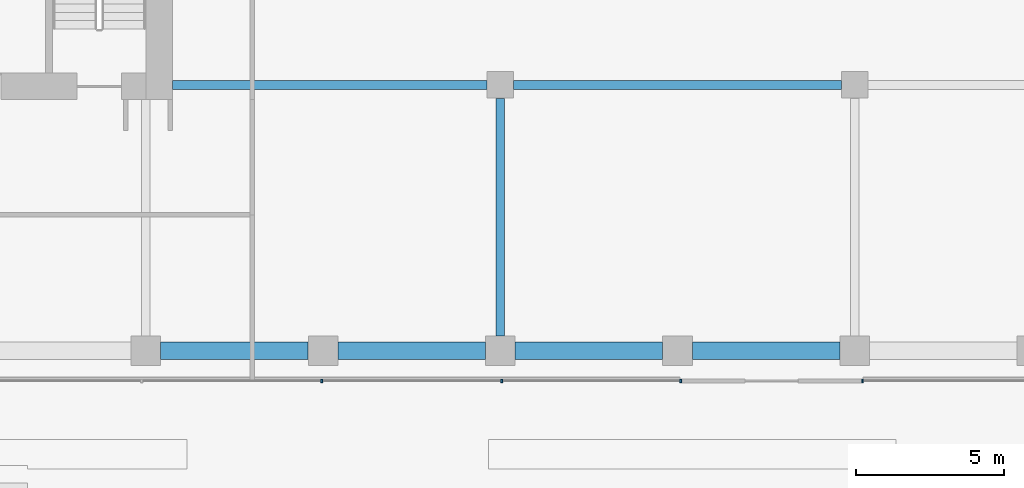
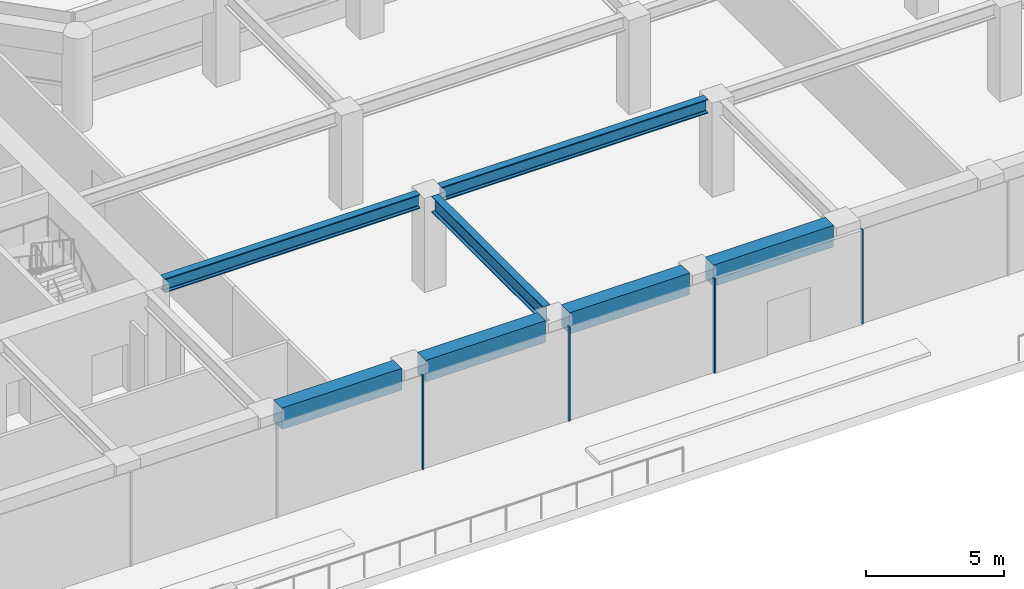
# One storey, part 5 of 31: 7 beams, 4 members, 2 elements without a shape of their own.
"""IFC4 building model written with IfcOpenShell, lengths in metres."""

from ifc_helpers import new_model, si_unit, direction, frame, origin, origin_2d, place, context, subcontext, project, spatial, rectangle, i_section, extrude, material, layer, layer_set, material_profile, profile_set, type_object, element, aggregate, save


model = new_model("IFC4")

# Units and contexts
model_context = context("Model", 3, precision=1e-05, world=origin(), true_north=direction((0.0, 1.0)))
body_context = subcontext(model_context, "Body", "Model", "MODEL_VIEW")
ifc_project = project(units=[si_unit("LENGTHUNIT", "METRE"), si_unit("AREAUNIT", "SQUARE_METRE"), si_unit("VOLUMEUNIT", "CUBIC_METRE"), si_unit("PLANEANGLEUNIT", "RADIAN"), si_unit("MASSUNIT", "GRAM", prefix="KILO")], contexts=[model_context])

# Site, building, storey
site_placement = place(None, origin())
site = spatial("IfcSite", under=ifc_project, at=site_placement, CompositionType="ELEMENT")
building_placement = place(site_placement, origin())
building = spatial("IfcBuilding", under=site, at=building_placement, Name="Welwitschia Terrace Campus", CompositionType="ELEMENT")
storey_placement = place(building_placement, frame((0.0, 0.0, 11.0)))
storey = spatial("IfcBuildingStorey", under=building, at=storey_placement, Name="L02", CompositionType="ELEMENT", Elevation=11.0)

# Beams
ifc_material_1 = material(Name="Steel S355", Category="steel")
ifc_material_profile_1 = material_profile(ifc_material_1, i_section(OverallWidth=0.304931640625, OverallDepth=0.6201171875, WebThickness=0.02099609375, FlangeThickness=0.0400390625, FilletRadius=0.027099609375, at=origin_2d()))
ifc_profile_set_1 = profile_set([ifc_material_profile_1], Name="Steel S355")
beam_type_1 = type_object("IfcBeamType", Name="Interior girder HE 600 M", PredefinedType="BEAM", material=ifc_profile_set_1)
beam_1_placement = place(storey_placement, frame((24.90087890625, 5.0, 3.840087890625), z_axis=(1.0, 0.0, 0.0), x_axis=(0.0, 1.0, 0.0)))
element("IfcBeam", 1, at=beam_1_placement, inside=storey, type_object=beam_type_1, Name="Girder GB1", PredefinedType="BEAM", context=body_context, shape_type="SweptSolid", body=[
    extrude(i_section(OverallWidth=0.304931640625, OverallDepth=0.6201171875, WebThickness=0.02099609375, FlangeThickness=0.0400390625, FilletRadius=0.027099609375, at=origin_2d()), origin(), (0.0, 0.0, 1.0), 10.648681640625),
])
beam_2_placement = place(storey_placement, frame((36.450439453125, 5.0, 3.840087890625), z_axis=(1.0, 0.0, 0.0), x_axis=(0.0, 1.0, 0.0)))
element("IfcBeam", 2, at=beam_2_placement, inside=storey, type_object=beam_type_1, Name="Girder GB1", PredefinedType="BEAM", context=body_context, shape_type="SweptSolid", body=[
    extrude(i_section(OverallWidth=0.304931640625, OverallDepth=0.6201171875, WebThickness=0.02099609375, FlangeThickness=0.0400390625, FilletRadius=0.027099609375, at=origin_2d()), origin(), (0.0, 0.0, 1.0), 11.09912109375),
])

# Curtain wall, members
ifc_material_2 = material(Name="Bronze anodised aluminium", Category="aluminium")
ifc_layer = layer(ifc_material_2, 0.1201171875)
ifc_layer_set = layer_set([ifc_layer], Name="Bronze anodised aluminium")
curtain_wall_type = type_object("IfcCurtainWallType", Name="Curtain wall CW2 tower 6000", PredefinedType="NOTDEFINED", material=ifc_layer_set)
curtain_wall_1_placement = place(storey_placement, origin())
curtain_wall_1 = element("IfcCurtainWall", 3, at=curtain_wall_1_placement, inside=storey, type_object=curtain_wall_type, Name="CW L02.1.0", PredefinedType="NOTDEFINED")
ifc_material_3 = material(Name="Bronze anodised aluminium", Category="aluminium")
ifc_material_profile_2 = material_profile(ifc_material_3, rectangle(XDim=0.1201171875, YDim=0.06005859375, at=origin_2d()))
ifc_profile_set_2 = profile_set([ifc_material_profile_2], Name="Bronze anodised aluminium")
member_type = type_object("IfcMemberType", Name="Mullion 60x120", PredefinedType="MULLION", material=ifc_profile_set_2)
member_1_placement = place(storey_placement, frame((29.953125, -5.02001953125, 0.0), z_axis=(0.0, 0.0, 1.0), x_axis=(0.0, 1.0, 0.0)))
member_1 = element("IfcMember", 4, at=member_1_placement, type_object=member_type, Name="Mullion L02.1.0.4", PredefinedType="MULLION", context=body_context, shape_type="SweptSolid", body=[
    extrude(rectangle(XDim=0.1201171875, YDim=0.06005859375, at=origin_2d()), origin(), (0.0, 0.0, 1.0), 4.14990234375),
])
member_2_placement = place(storey_placement, frame((36.046875, -5.02001953125, 0.0), z_axis=(0.0, 0.0, 1.0), x_axis=(0.0, 1.0, 0.0)))
member_2 = element("IfcMember", 5, at=member_2_placement, type_object=member_type, Name="Mullion L02.1.0.5", PredefinedType="MULLION", context=body_context, shape_type="SweptSolid", body=[
    extrude(rectangle(XDim=0.1201171875, YDim=0.06005859375, at=origin_2d()), origin(), (0.0, 0.0, 1.0), 4.14990234375),
])
member_3_placement = place(storey_placement, frame((42.11083984375, -5.02001953125, 0.0), z_axis=(0.0, 0.0, 1.0), x_axis=(0.0, 1.0, 0.0)))
member_3 = element("IfcMember", 6, at=member_3_placement, type_object=member_type, Name="Mullion L02.1.0.6", PredefinedType="MULLION", context=body_context, shape_type="SweptSolid", body=[
    extrude(rectangle(XDim=0.1201171875, YDim=0.06005859375, at=origin_2d()), origin(), (0.0, 0.0, 1.0), 4.14990234375),
])
aggregate(curtain_wall_1, [member_1, member_2, member_3])

# Curtain wall, member
curtain_wall_2_placement = place(storey_placement, origin())
curtain_wall_2 = element("IfcCurtainWall", 7, at=curtain_wall_2_placement, inside=storey, type_object=curtain_wall_type, Name="CW L02.1.7", PredefinedType="NOTDEFINED")
member_4_placement = place(storey_placement, frame((48.2646484375, -5.02001953125, 0.0), z_axis=(0.0, 0.0, 1.0), x_axis=(0.0, 1.0, 0.0)))
member_4 = element("IfcMember", 8, at=member_4_placement, type_object=member_type, Name="Mullion L02.1.7.0", PredefinedType="MULLION", context=body_context, shape_type="SweptSolid", body=[
    extrude(rectangle(XDim=0.1201171875, YDim=0.06005859375, at=origin_2d()), origin(), (0.0, 0.0, 1.0), 4.14990234375),
])
aggregate(curtain_wall_2, [member_4])

# Beams
ifc_material_4 = material(Name="Steel S355", Category="steel")
ifc_material_profile_3 = material_profile(ifc_material_4, i_section(OverallWidth=0.300048828125, OverallDepth=0.699951171875, WebThickness=0.01708984375, FlangeThickness=0.031982421875, FilletRadius=0.027099609375, at=origin_2d()))
ifc_profile_set_3 = profile_set([ifc_material_profile_3], Name="Steel S355")
beam_type_2 = type_object("IfcBeamType", Name="Primary beam HE 700 B", PredefinedType="BEAM", material=ifc_profile_set_3)
beam_3_placement = place(storey_placement, frame((36.0, -3.49951171875, 3.800048828125), z_axis=(0.0, 1.0, 0.0), x_axis=(-1.0, 0.0, 0.0)))
element("IfcBeam", 9, at=beam_3_placement, inside=storey, type_object=beam_type_2, Name="Primary beam PB1", PredefinedType="BEAM", context=body_context, shape_type="SweptSolid", body=[
    extrude(i_section(OverallWidth=0.300048828125, OverallDepth=0.699951171875, WebThickness=0.01708984375, FlangeThickness=0.031982421875, FilletRadius=0.027099609375, at=origin_2d()), origin(), (0.0, 0.0, 1.0), 8.049072265625),
])
ifc_material_5 = material(Name="Concrete C60/75", Category="concrete")
ifc_material_profile_4 = material_profile(ifc_material_5, rectangle(XDim=0.60009765625, YDim=0.949951171875, at=origin_2d()))
ifc_profile_set_4 = profile_set([ifc_material_profile_4], Name="Concrete C60/75")
beam_type_3 = type_object("IfcBeamType", Name="Ring spandrel 600x950", PredefinedType="SPANDREL", material=ifc_profile_set_4)
for number, where, z_axis, x_axis, name in (
    (10, (24.50048828125, -4.0, 3.675048828125), (1.0, 0.0, 0.0), (0.0, 1.0, 0.0), "Spandrel SP1"),
    (11, (30.50048828125, -4.0, 3.675048828125), (1.0, 0.0, 0.0), (0.0, 1.0, 0.0), "Spandrel SP1"),
    (12, (36.50048828125, -4.0, 3.675048828125), (1.0, 0.0, 0.0), (0.0, 1.0, 0.0), "Spandrel SP1"),
    (13, (42.50048828125, -4.0, 3.675048828125), (1.0, 0.0, 0.0), (0.0, 1.0, 0.0), "Spandrel SP1"),
):
    element("IfcBeam", number, at=place(storey_placement, frame(where, z_axis=z_axis, x_axis=x_axis)), inside=storey, type_object=beam_type_3, Name=name, PredefinedType="SPANDREL", context=body_context, shape_type="SweptSolid", body=[
        extrude(rectangle(XDim=0.60009765625, YDim=0.949951171875, at=origin_2d()), origin(), (0.0, 0.0, 1.0), 4.9990234375),
    ])

save(model, "model.ifc")
